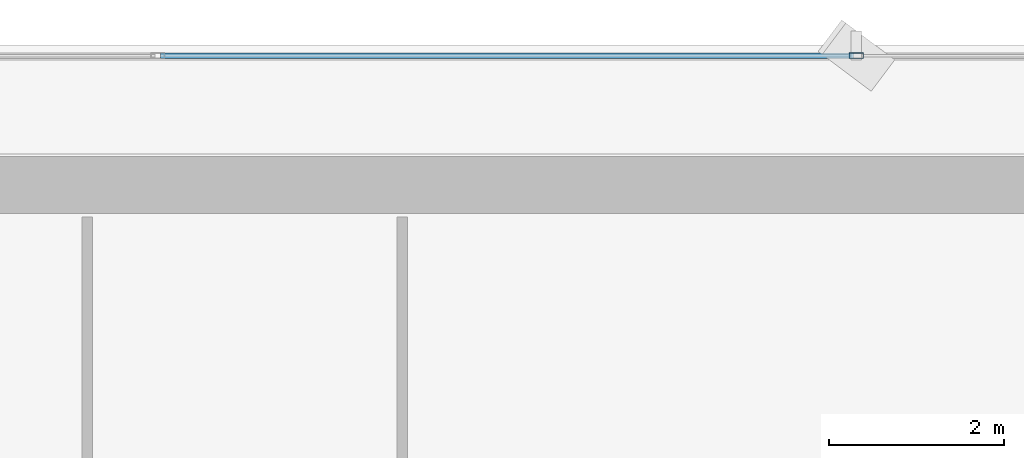
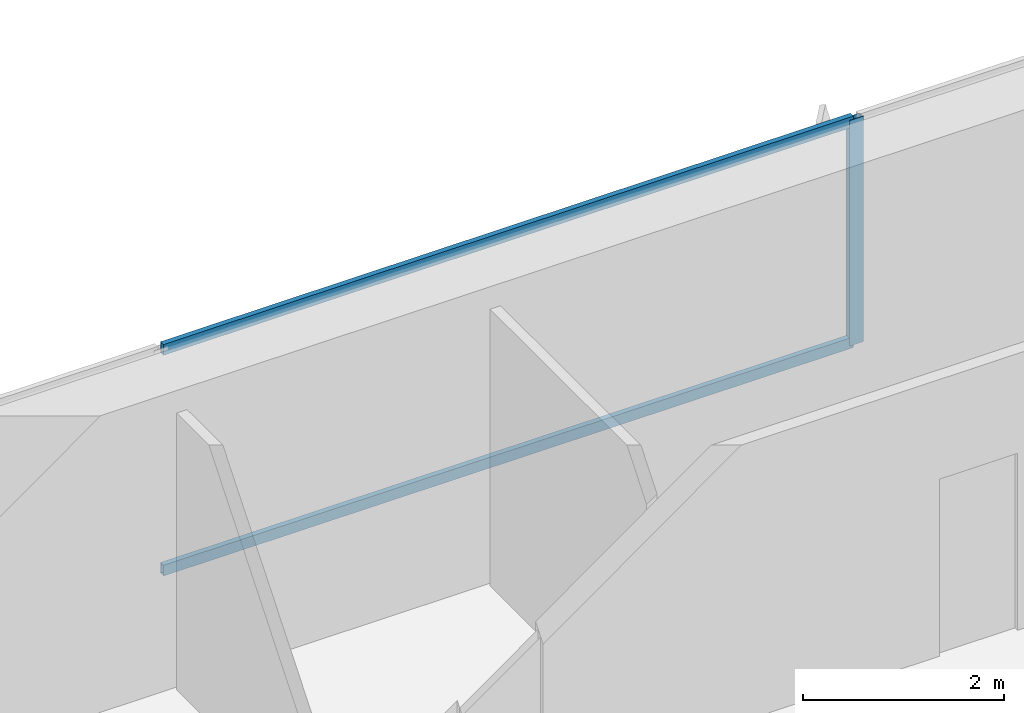
# One storey, part 21 of 35: 3 members, 1 element without a shape of its own.
"""IFC4 building model written with IfcOpenShell, lengths in metres."""

from ifc_helpers import new_model, si_unit, direction, frame, origin, origin_2d, place, context, subcontext, project, spatial, hollow_rectangle, extrude, source, transform, mapped, material, layer, layer_set, material_profile, profile_set, type_object, element, aggregate, save


model = new_model("IFC4")

# Units and contexts
model_context = context("Model", 3, precision=1e-05, world=origin(), true_north=direction((0.0, 1.0)))
body_context = subcontext(model_context, "Body", "Model", "MODEL_VIEW")
ifc_project = project(units=[si_unit("LENGTHUNIT", "METRE"), si_unit("AREAUNIT", "SQUARE_METRE"), si_unit("VOLUMEUNIT", "CUBIC_METRE"), si_unit("PLANEANGLEUNIT", "RADIAN"), si_unit("MASSUNIT", "GRAM", prefix="KILO")], contexts=[model_context])

# Site, building, storey
site_placement = place(None, origin())
site = spatial("IfcSite", under=ifc_project, at=site_placement, CompositionType="ELEMENT")
building_placement = place(site_placement, origin())
building = spatial("IfcBuilding", under=site, at=building_placement, Name="Sumidabori Civic Tower", CompositionType="ELEMENT")
storey_placement = place(building_placement, frame((0.0, 0.0, 102.800048828125)))
storey = spatial("IfcBuildingStorey", under=building, at=storey_placement, Name="L26", CompositionType="ELEMENT", Elevation=102.800048828125)

# Curtain wall, members
ifc_material = material(Name="Anodised Bronze Aluminium AW-6063-T6", Category="aluminium")
ifc_layer = layer(ifc_material, 0.179931640625, Name="Anodised Bronze Aluminium AW-6063-T6")
ifc_layer_set = layer_set([ifc_layer], Name="Anodised Bronze Aluminium AW-6063-T6")
curtain_wall_type = type_object("IfcCurtainWallType", Name="CW-SYS-3", PredefinedType="NOTDEFINED", material=ifc_layer_set)
curtain_wall_placement = place(storey_placement, origin())
curtain_wall = element("IfcCurtainWall", 1, at=curtain_wall_placement, inside=storey, type_object=curtain_wall_type, Name="Curtain Wall CW:L26:R07", PredefinedType="NOTDEFINED")
ifc_material_profile_1 = material_profile(ifc_material, hollow_rectangle(XDim=0.06494140625, YDim=0.159912109375, WallThickness=0.0048828125, at=origin_2d()), Name="ALU MULLION 160x65")
ifc_profile_set_1 = profile_set([ifc_material_profile_1], Name="Anodised Bronze Aluminium AW-6063-T6")
member_type_1 = type_object("IfcMemberType", Name="CW-MUL-160", PredefinedType="MULLION", material=ifc_profile_set_1)
shared_shape_1 = source(origin(), body_context, "Body", "SweptSolid", [
    extrude(hollow_rectangle(XDim=0.06494140625, YDim=0.159912109375, WallThickness=0.0048828125, at=origin_2d()), origin(), (0.0, 0.0, 1.0), 2.739990234375),
])
member_1_placement = place(storey_placement, frame((3.993896484375, 25.280029296875, 0.0), z_axis=(0.0, 0.0, 1.0), x_axis=(0.0, -1.0, 0.0)))
member_1 = element("IfcMember", 2, at=member_1_placement, type_object=member_type_1, Name="CW-3 mullion 3", PredefinedType="MULLION", context=body_context, shape_type="MappedRepresentation", body=[
    mapped(shared_shape_1, transform((0.0, 0.0, 0.0), x_axis=(1.0, 0.0, 0.0), y_axis=(0.0, 1.0, 0.0), z_axis=(0.0, 0.0, 1.0), scale=1.0)),
])
ifc_material_profile_2 = material_profile(ifc_material, hollow_rectangle(XDim=0.06005859375, YDim=0.1298828125, WallThickness=0.0048828125, at=origin_2d()), Name="ALU TRANSOM 130x60")
ifc_profile_set_2 = profile_set([ifc_material_profile_2], Name="Anodised Bronze Aluminium AW-6063-T6")
member_type_2 = type_object("IfcMemberType", Name="CW-TRN-130", PredefinedType="USERDEFINED", material=ifc_profile_set_2)
shared_shape_2 = source(origin(), body_context, "Body", "SweptSolid", [
    extrude(hollow_rectangle(XDim=0.06005859375, YDim=0.1298828125, WallThickness=0.0048828125, at=origin_2d()), origin(), (0.0, 0.0, 1.0), 7.9228515625),
])
member_2_placement = place(storey_placement, frame((3.96142578125, 25.280029296875, 0.030029296875), z_axis=(-1.0, 0.0, 0.0), x_axis=(0.0, -1.0, 0.0)))
member_2 = element("IfcMember", 3, at=member_2_placement, type_object=member_type_2, Name="CW-3 transom 3.1", ObjectType="TRANSOM", PredefinedType="USERDEFINED", context=body_context, shape_type="MappedRepresentation", body=[
    mapped(shared_shape_2, transform((0.0, 0.0, 0.0), x_axis=(1.0, 0.0, 0.0), y_axis=(0.0, 1.0, 0.0), z_axis=(0.0, 0.0, 1.0), scale=1.0)),
])
member_3_placement = place(storey_placement, frame((3.96142578125, 25.280029296875, 2.7099609375), z_axis=(-1.0, 0.0, 0.0), x_axis=(0.0, -1.0, 0.0)))
member_3 = element("IfcMember", 4, at=member_3_placement, type_object=member_type_2, Name="CW-3 transom 3.2", ObjectType="TRANSOM", PredefinedType="USERDEFINED", context=body_context, shape_type="MappedRepresentation", body=[
    mapped(shared_shape_2, transform((0.0, 0.0, 0.0), x_axis=(1.0, 0.0, 0.0), y_axis=(0.0, 1.0, 0.0), z_axis=(0.0, 0.0, 1.0), scale=1.0)),
])
aggregate(curtain_wall, [member_1, member_2, member_3])

save(model, "model.ifc")
